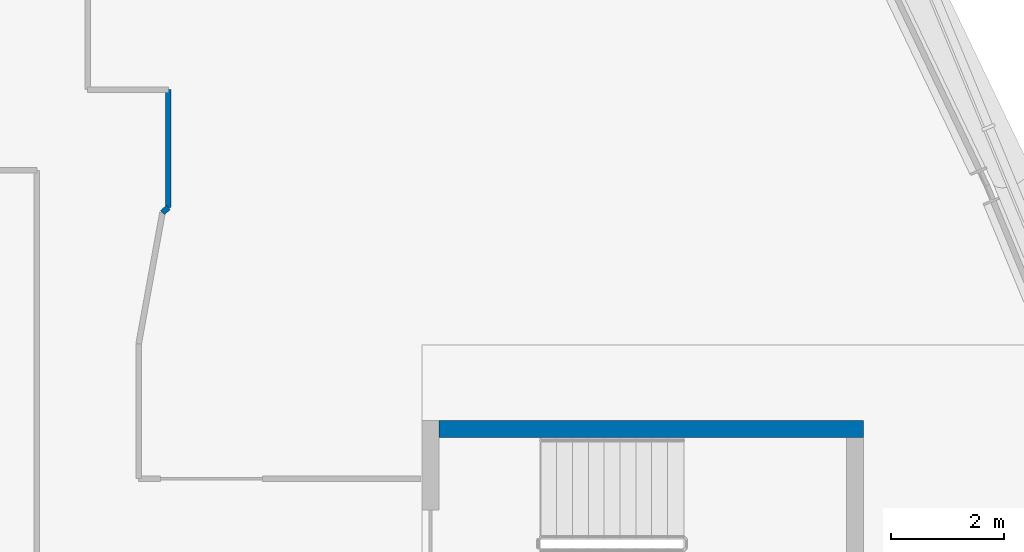
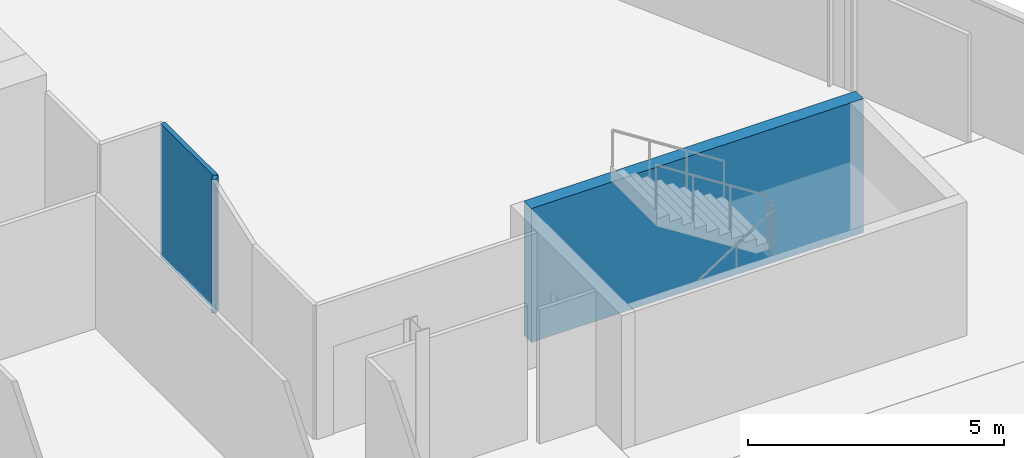
# One storey, part 17 of 26: 3 walls.
"""IFC4 building model written with IfcOpenShell, lengths in metres."""

from ifc_helpers import new_model, si_unit, direction, frame, frame_2d, origin, place, context, subcontext, project, spatial, rectangle, extrude, material, layer, layer_set, type_object, element, save


model = new_model("IFC4")

# Units and contexts
model_context = context("Model", 3, precision=1e-05, world=origin(), true_north=direction((0.0, 1.0)))
body_context = subcontext(model_context, "Body", "Model", "MODEL_VIEW")
ifc_project = project(units=[si_unit("LENGTHUNIT", "METRE"), si_unit("AREAUNIT", "SQUARE_METRE"), si_unit("VOLUMEUNIT", "CUBIC_METRE"), si_unit("PLANEANGLEUNIT", "RADIAN"), si_unit("MASSUNIT", "GRAM", prefix="KILO")], contexts=[model_context])

# Site, building, storey
site_placement = place(None, origin())
site = spatial("IfcSite", under=ifc_project, at=site_placement, CompositionType="ELEMENT")
building_placement = place(site_placement, origin())
building = spatial("IfcBuilding", under=site, at=building_placement, Name="Wharfspan Tower", CompositionType="ELEMENT")
storey_placement = place(building_placement, frame((0.0, 0.0, 177.100098)))
storey = spatial("IfcBuildingStorey", under=building, at=storey_placement, Name="L43", CompositionType="ELEMENT", Elevation=177.100098)

# Walls
ifc_material_1 = material(Name="Gypsum board on steel studs", Category="steel")
ifc_layer_1 = layer(ifc_material_1, 0.100098)
ifc_layer_set_1 = layer_set([ifc_layer_1], Name="Gypsum board on steel studs")
wall_type_1 = type_object("IfcWallType", Name="Compartment wall 100 EI 60", PredefinedType="PARTITIONING", material=ifc_layer_set_1)
wall_1_placement = place(storey_placement, frame((59.320068, 29.75, 0.0), z_axis=(0.0, 0.0, 1.0), x_axis=(0.741581, 0.670872, 0.0)))
element("IfcWall", 1, at=wall_1_placement, inside=storey, type_object=wall_type_1, Name="Partition L43.w041", PredefinedType="PARTITIONING", context=body_context, shape_type="SweptSolid", body=[
    extrude(rectangle(XDim=0.141602, YDim=0.100098, at=frame_2d((0.070801, 0.0))), origin(), (0.0, 0.0, 1.0), 3.199951),
])
wall_2_placement = place(storey_placement, frame((59.425049, 29.844971, 0.0), z_axis=(0.0, 0.0, 1.0), x_axis=(0.0, 1.0, 0.0)))
element("IfcWall", 2, at=wall_2_placement, inside=storey, type_object=wall_type_1, Name="Partition L43.w042", PredefinedType="PARTITIONING", context=body_context, shape_type="SweptSolid", body=[
    extrude(rectangle(XDim=2.080078, YDim=0.100098, at=frame_2d((1.040039, 0.0))), origin(), (0.0, 0.0, 1.0), 3.199951),
])
ifc_material_2 = material(Name="Concrete C40/50", Category="concrete")
ifc_layer_2 = layer(ifc_material_2, 0.300049)
ifc_layer_set_2 = layer_set([ifc_layer_2], Name="Concrete C40/50")
wall_type_2 = type_object("IfcWallType", Name="Stair core wall 300", PredefinedType="SHEAR", material=ifc_layer_set_2)
wall_3_placement = place(storey_placement, frame((64.20459, 25.925049, 0.0), z_axis=(0.0, 0.0, 1.0), x_axis=(1.0, 0.0, 0.0)))
element("IfcWall", 3, at=wall_3_placement, inside=storey, type_object=wall_type_2, Name="ST6 stair enclosure wall L43", PredefinedType="SHEAR", context=body_context, shape_type="SweptSolid", body=[
    extrude(rectangle(XDim=7.5, YDim=0.300049, at=frame_2d((3.75, 0.0))), origin(), (0.0, 0.0, 1.0), 3.199951),
])

save(model, "model.ifc")
